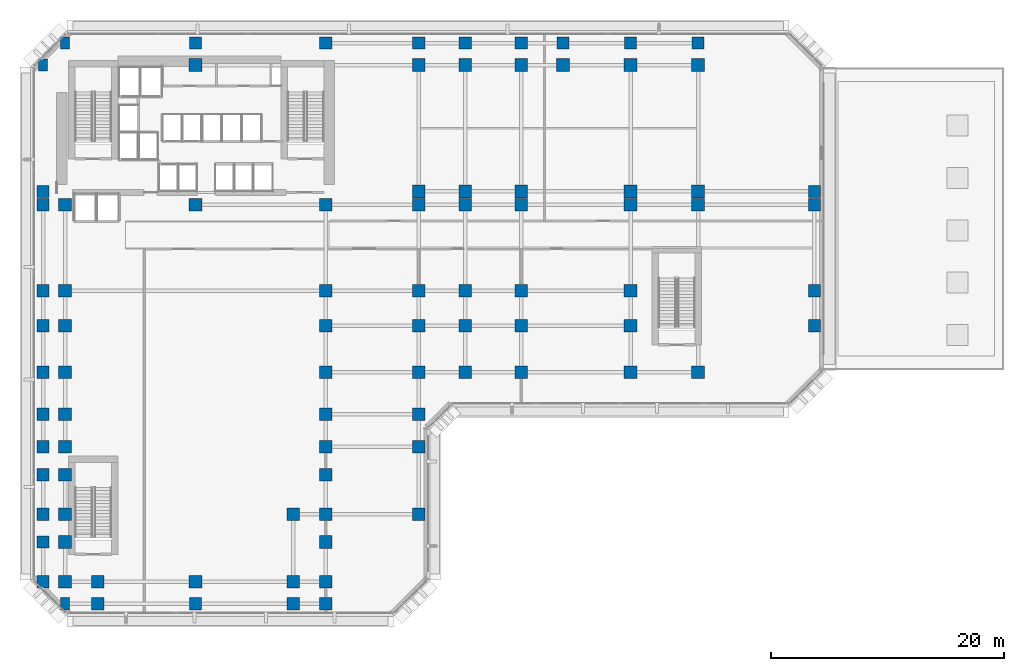
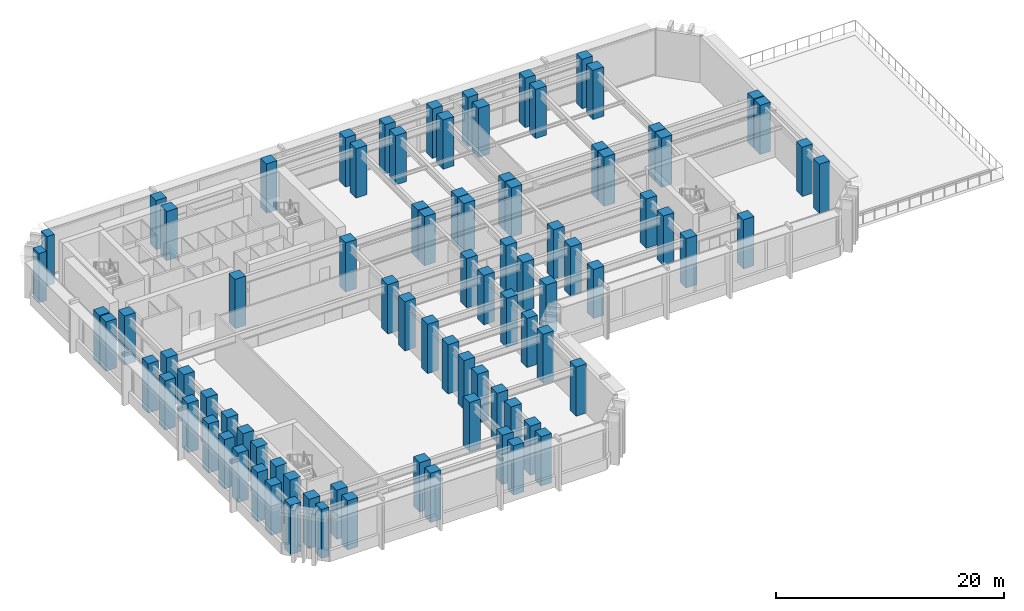
# One storey, part 1 of 16: 88 columns.
"""IFC4 building model written with IfcOpenShell, lengths in metres."""

from ifc_helpers import new_model, si_unit, direction, frame, origin, origin_2d, place, context, subcontext, project, spatial, rectangle, extrude, material, material_profile, profile_set, type_object, element, save


model = new_model("IFC4")

# Units and contexts
model_context = context("Model", 3, precision=1e-05, world=origin(), true_north=direction((0.0, 1.0)))
body_context = subcontext(model_context, "Body", "Model", "MODEL_VIEW")
ifc_project = project(units=[si_unit("LENGTHUNIT", "METRE"), si_unit("AREAUNIT", "SQUARE_METRE"), si_unit("VOLUMEUNIT", "CUBIC_METRE"), si_unit("PLANEANGLEUNIT", "RADIAN"), si_unit("MASSUNIT", "GRAM", prefix="KILO")], contexts=[model_context])

# Site, building, storey
site_placement = place(None, origin())
site = spatial("IfcSite", under=ifc_project, at=site_placement, CompositionType="ELEMENT")
building_placement = place(site_placement, origin())
building = spatial("IfcBuilding", under=site, at=building_placement, Name="Kefirva Bronze Tower", CompositionType="ELEMENT")
storey_placement = place(building_placement, frame((0.0, 0.0, 11.219970703125)))
storey = spatial("IfcBuildingStorey", under=building, at=storey_placement, Name="L02", CompositionType="ELEMENT", Elevation=11.219970703125)

# Columns
ifc_material = material(Name="Concrete C60/75", Category="concrete")
ifc_material_profile_1 = material_profile(ifc_material, rectangle(XDim=1.050048828125, YDim=1.050048828125, at=origin_2d()), Name="RC 1050x1050")
ifc_profile_set_1 = profile_set([ifc_material_profile_1], Name="Concrete C60/75")
column_type_1 = type_object("IfcColumnType", Name="RC Column 1050x1050 Ext", PredefinedType="COLUMN", material=ifc_profile_set_1)
for number, where, z_axis, x_axis, name in (
    (1, (-1.10009765625, 0.800048828125, 0.0), (0.0, 0.0, 1.0), (1.0, 0.0, 0.0), "L02 Column C-11_008"),
    (2, (-1.10009765625, 4.199951171875, 0.0), (0.0, 0.0, 1.0), (1.0, 0.0, 0.0), "L02 Column C-11_042"),
    (3, (-1.10009765625, 6.60009765625, 0.0), (0.0, 0.0, 1.0), (1.0, 0.0, 0.0), "L02 Column C-11_066"),
    (4, (-1.10009765625, 10.0, 0.0), (0.0, 0.0, 1.0), (1.0, 0.0, 0.0), "L02 Column C-11_100"),
    (5, (-1.10009765625, 12.39990234375, 0.0), (0.0, 0.0, 1.0), (1.0, 0.0, 0.0), "L02 Column C-11_124"),
    (6, (-1.10009765625, 15.199951171875, 0.0), (0.0, 0.0, 1.0), (1.0, 0.0, 0.0), "L02 Column C-11_152"),
    (7, (-1.10009765625, 18.800048828125, 0.0), (0.0, 0.0, 1.0), (1.0, 0.0, 0.0), "L02 Column C-11_188"),
    (8, (-1.10009765625, 22.800048828125, 0.0), (0.0, 0.0, 1.0), (1.0, 0.0, 0.0), "L02 Column C-11_228"),
    (9, (-1.10009765625, 25.800048828125, 0.0), (0.0, 0.0, 1.0), (1.0, 0.0, 0.0), "L02 Column C-11_258"),
    (10, (-1.10009765625, 33.199951171875, 0.0), (0.0, 0.0, 1.0), (1.0, 0.0, 0.0), "L02 Column C-11_332"),
    (11, (-1.10009765625, 34.35009765625, 0.0), (0.0, 0.0, 1.0), (1.0, 0.0, 0.0), "L02 Column C-11_344"),
    (12, (3.60009765625, -1.10009765625, 0.0), (0.0, 0.0, 1.0), (1.0, 0.0, 0.0), "L02 Column C036_-11"),
    (13, (12.0, -1.10009765625, 0.0), (0.0, 0.0, 1.0), (1.0, 0.0, 0.0), "L02 Column C120_-11"),
    (14, (12.0, 47.10009765625, 0.0), (0.0, 0.0, 1.0), (1.0, 0.0, 0.0), "L02 Column C120_471"),
    (15, (20.39990234375, -1.10009765625, 0.0), (0.0, 0.0, 1.0), (1.0, 0.0, 0.0), "L02 Column C204_-11"),
    (16, (23.199951171875, -1.10009765625, 0.0), (0.0, 0.0, 1.0), (1.0, 0.0, 0.0), "L02 Column C232_-11"),
    (17, (23.199951171875, 47.10009765625, 0.0), (0.0, 0.0, 1.0), (1.0, 0.0, 0.0), "L02 Column C232_471"),
    (18, (31.199951171875, 6.60009765625, 0.0), (0.0, 0.0, 1.0), (1.0, 0.0, 0.0), "L02 Column C312_066"),
    (19, (31.199951171875, 12.39990234375, 0.0), (0.0, 0.0, 1.0), (1.0, 0.0, 0.0), "L02 Column C312_124"),
    (20, (31.199951171875, 15.199951171875, 0.0), (0.0, 0.0, 1.0), (1.0, 0.0, 0.0), "L02 Column C312_152"),
    (21, (31.199951171875, 47.10009765625, 0.0), (0.0, 0.0, 1.0), (1.0, 0.0, 0.0), "L02 Column C312_471"),
    (22, (35.199951171875, 47.10009765625, 0.0), (0.0, 0.0, 1.0), (1.0, 0.0, 0.0), "L02 Column C352_471"),
    (23, (40.0, 47.10009765625, 0.0), (0.0, 0.0, 1.0), (1.0, 0.0, 0.0), "L02 Column C400_471"),
    (24, (43.60009765625, 47.10009765625, 0.0), (0.0, 0.0, 1.0), (1.0, 0.0, 0.0), "L02 Column C436_471"),
    (25, (49.39990234375, 47.10009765625, 0.0), (0.0, 0.0, 1.0), (1.0, 0.0, 0.0), "L02 Column C494_471"),
    (26, (55.199951171875, 47.10009765625, 0.0), (0.0, 0.0, 1.0), (1.0, 0.0, 0.0), "L02 Column C552_471"),
    (27, (65.199951171875, 22.800048828125, 0.0), (0.0, 0.0, 1.0), (1.0, 0.0, 0.0), "L02 Column C652_228"),
    (28, (65.199951171875, 25.800048828125, 0.0), (0.0, 0.0, 1.0), (1.0, 0.0, 0.0), "L02 Column C652_258"),
    (29, (65.199951171875, 33.199951171875, 0.0), (0.0, 0.0, 1.0), (1.0, 0.0, 0.0), "L02 Column C652_332"),
    (30, (65.199951171875, 34.35009765625, 0.0), (0.0, 0.0, 1.0), (1.0, 0.0, 0.0), "L02 Column C652_344"),
):
    element("IfcColumn", number, at=place(storey_placement, frame(where, z_axis=z_axis, x_axis=x_axis)), inside=storey, type_object=column_type_1, Name=name, PredefinedType="COLUMN", context=body_context, shape_type="SweptSolid", body=[
        extrude(rectangle(XDim=1.050048828125, YDim=1.050048828125, at=origin_2d()), origin(), (0.0, 0.0, 1.0), 5.280029296875),
    ])
ifc_material_profile_2 = material_profile(ifc_material, rectangle(XDim=1.10009765625, YDim=1.10009765625, at=origin_2d()), Name="RC 1100x1100")
ifc_profile_set_2 = profile_set([ifc_material_profile_2], Name="Concrete C60/75")
column_type_2 = type_object("IfcColumnType", Name="RC Column 1100x1100 Int", PredefinedType="COLUMN", material=ifc_profile_set_2)
for number, where, z_axis, x_axis, name in (
    (31, (0.800048828125, 0.800048828125, 0.0), (0.0, 0.0, 1.0), (1.0, 0.0, 0.0), "L02 Column C008_008"),
    (32, (0.800048828125, 4.199951171875, 0.0), (0.0, 0.0, 1.0), (1.0, 0.0, 0.0), "L02 Column C008_042"),
    (33, (0.800048828125, 6.60009765625, 0.0), (0.0, 0.0, 1.0), (1.0, 0.0, 0.0), "L02 Column C008_066"),
    (34, (0.800048828125, 10.0, 0.0), (0.0, 0.0, 1.0), (1.0, 0.0, 0.0), "L02 Column C008_100"),
    (35, (0.800048828125, 12.39990234375, 0.0), (0.0, 0.0, 1.0), (1.0, 0.0, 0.0), "L02 Column C008_124"),
    (36, (0.800048828125, 15.199951171875, 0.0), (0.0, 0.0, 1.0), (1.0, 0.0, 0.0), "L02 Column C008_152"),
    (37, (0.800048828125, 18.800048828125, 0.0), (0.0, 0.0, 1.0), (1.0, 0.0, 0.0), "L02 Column C008_188"),
    (38, (0.800048828125, 22.800048828125, 0.0), (0.0, 0.0, 1.0), (1.0, 0.0, 0.0), "L02 Column C008_228"),
    (39, (0.800048828125, 25.800048828125, 0.0), (0.0, 0.0, 1.0), (1.0, 0.0, 0.0), "L02 Column C008_258"),
    (40, (0.800048828125, 33.199951171875, 0.0), (0.0, 0.0, 1.0), (1.0, 0.0, 0.0), "L02 Column C008_332"),
    (41, (3.60009765625, 0.800048828125, 0.0), (0.0, 0.0, 1.0), (1.0, 0.0, 0.0), "L02 Column C036_008"),
    (42, (12.0, 0.800048828125, 0.0), (0.0, 0.0, 1.0), (1.0, 0.0, 0.0), "L02 Column C120_008"),
    (43, (12.0, 33.199951171875, 0.0), (0.0, 0.0, 1.0), (1.0, 0.0, 0.0), "L02 Column C120_332"),
    (44, (12.0, 45.199951171875, 0.0), (0.0, 0.0, 1.0), (1.0, 0.0, 0.0), "L02 Column C120_452"),
    (45, (20.39990234375, 0.800048828125, 0.0), (0.0, 0.0, 1.0), (1.0, 0.0, 0.0), "L02 Column C204_008"),
    (46, (20.39990234375, 6.60009765625, 0.0), (0.0, 0.0, 1.0), (1.0, 0.0, 0.0), "L02 Column C204_066"),
    (47, (23.199951171875, 0.800048828125, 0.0), (0.0, 0.0, 1.0), (1.0, 0.0, 0.0), "L02 Column C232_008"),
    (48, (23.199951171875, 4.199951171875, 0.0), (0.0, 0.0, 1.0), (1.0, 0.0, 0.0), "L02 Column C232_042"),
    (49, (23.199951171875, 6.60009765625, 0.0), (0.0, 0.0, 1.0), (1.0, 0.0, 0.0), "L02 Column C232_066"),
    (50, (23.199951171875, 10.0, 0.0), (0.0, 0.0, 1.0), (1.0, 0.0, 0.0), "L02 Column C232_100"),
    (51, (23.199951171875, 12.39990234375, 0.0), (0.0, 0.0, 1.0), (1.0, 0.0, 0.0), "L02 Column C232_124"),
    (52, (23.199951171875, 15.199951171875, 0.0), (0.0, 0.0, 1.0), (1.0, 0.0, 0.0), "L02 Column C232_152"),
    (53, (23.199951171875, 18.800048828125, 0.0), (0.0, 0.0, 1.0), (1.0, 0.0, 0.0), "L02 Column C232_188"),
    (54, (23.199951171875, 22.800048828125, 0.0), (0.0, 0.0, 1.0), (1.0, 0.0, 0.0), "L02 Column C232_228"),
    (55, (23.199951171875, 25.800048828125, 0.0), (0.0, 0.0, 1.0), (1.0, 0.0, 0.0), "L02 Column C232_258"),
    (56, (23.199951171875, 33.199951171875, 0.0), (0.0, 0.0, 1.0), (1.0, 0.0, 0.0), "L02 Column C232_332"),
    (57, (31.199951171875, 18.800048828125, 0.0), (0.0, 0.0, 1.0), (1.0, 0.0, 0.0), "L02 Column C312_188"),
    (58, (31.199951171875, 22.800048828125, 0.0), (0.0, 0.0, 1.0), (1.0, 0.0, 0.0), "L02 Column C312_228"),
    (59, (31.199951171875, 25.800048828125, 0.0), (0.0, 0.0, 1.0), (1.0, 0.0, 0.0), "L02 Column C312_258"),
    (60, (31.199951171875, 33.199951171875, 0.0), (0.0, 0.0, 1.0), (1.0, 0.0, 0.0), "L02 Column C312_332"),
    (61, (31.199951171875, 34.35009765625, 0.0), (0.0, 0.0, 1.0), (1.0, 0.0, 0.0), "L02 Column C312_344"),
    (62, (31.199951171875, 45.199951171875, 0.0), (0.0, 0.0, 1.0), (1.0, 0.0, 0.0), "L02 Column C312_452"),
    (63, (35.199951171875, 18.800048828125, 0.0), (0.0, 0.0, 1.0), (1.0, 0.0, 0.0), "L02 Column C352_188"),
    (64, (35.199951171875, 22.800048828125, 0.0), (0.0, 0.0, 1.0), (1.0, 0.0, 0.0), "L02 Column C352_228"),
    (65, (35.199951171875, 25.800048828125, 0.0), (0.0, 0.0, 1.0), (1.0, 0.0, 0.0), "L02 Column C352_258"),
    (66, (35.199951171875, 33.199951171875, 0.0), (0.0, 0.0, 1.0), (1.0, 0.0, 0.0), "L02 Column C352_332"),
    (67, (35.199951171875, 34.35009765625, 0.0), (0.0, 0.0, 1.0), (1.0, 0.0, 0.0), "L02 Column C352_344"),
    (68, (35.199951171875, 45.199951171875, 0.0), (0.0, 0.0, 1.0), (1.0, 0.0, 0.0), "L02 Column C352_452"),
    (69, (40.0, 18.800048828125, 0.0), (0.0, 0.0, 1.0), (1.0, 0.0, 0.0), "L02 Column C400_188"),
    (70, (40.0, 22.800048828125, 0.0), (0.0, 0.0, 1.0), (1.0, 0.0, 0.0), "L02 Column C400_228"),
    (71, (40.0, 25.800048828125, 0.0), (0.0, 0.0, 1.0), (1.0, 0.0, 0.0), "L02 Column C400_258"),
    (72, (40.0, 33.199951171875, 0.0), (0.0, 0.0, 1.0), (1.0, 0.0, 0.0), "L02 Column C400_332"),
    (73, (40.0, 34.35009765625, 0.0), (0.0, 0.0, 1.0), (1.0, 0.0, 0.0), "L02 Column C400_344"),
    (74, (40.0, 45.199951171875, 0.0), (0.0, 0.0, 1.0), (1.0, 0.0, 0.0), "L02 Column C400_452"),
    (75, (43.60009765625, 45.199951171875, 0.0), (0.0, 0.0, 1.0), (1.0, 0.0, 0.0), "L02 Column C436_452"),
    (76, (49.39990234375, 18.800048828125, 0.0), (0.0, 0.0, 1.0), (1.0, 0.0, 0.0), "L02 Column C494_188"),
    (77, (49.39990234375, 22.800048828125, 0.0), (0.0, 0.0, 1.0), (1.0, 0.0, 0.0), "L02 Column C494_228"),
    (78, (49.39990234375, 25.800048828125, 0.0), (0.0, 0.0, 1.0), (1.0, 0.0, 0.0), "L02 Column C494_258"),
    (79, (49.39990234375, 33.199951171875, 0.0), (0.0, 0.0, 1.0), (1.0, 0.0, 0.0), "L02 Column C494_332"),
    (80, (49.39990234375, 34.35009765625, 0.0), (0.0, 0.0, 1.0), (1.0, 0.0, 0.0), "L02 Column C494_344"),
    (81, (49.39990234375, 45.199951171875, 0.0), (0.0, 0.0, 1.0), (1.0, 0.0, 0.0), "L02 Column C494_452"),
    (82, (55.199951171875, 18.800048828125, 0.0), (0.0, 0.0, 1.0), (1.0, 0.0, 0.0), "L02 Column C552_188"),
    (83, (55.199951171875, 33.199951171875, 0.0), (0.0, 0.0, 1.0), (1.0, 0.0, 0.0), "L02 Column C552_332"),
    (84, (55.199951171875, 34.35009765625, 0.0), (0.0, 0.0, 1.0), (1.0, 0.0, 0.0), "L02 Column C552_344"),
    (85, (55.199951171875, 45.199951171875, 0.0), (0.0, 0.0, 1.0), (1.0, 0.0, 0.0), "L02 Column C552_452"),
):
    element("IfcColumn", number, at=place(storey_placement, frame(where, z_axis=z_axis, x_axis=x_axis)), inside=storey, type_object=column_type_2, Name=name, PredefinedType="COLUMN", context=body_context, shape_type="SweptSolid", body=[
        extrude(rectangle(XDim=1.10009765625, YDim=1.10009765625, at=origin_2d()), origin(), (0.0, 0.0, 1.0), 5.280029296875),
    ])
ifc_material_profile_3 = material_profile(ifc_material, rectangle(XDim=0.760009765625, YDim=1.0400390625, at=origin_2d()), Name="RC 760x1040")
ifc_profile_set_3 = profile_set([ifc_material_profile_3], Name="Concrete C60/75")
column_type_3 = type_object("IfcColumnType", Name="RC Corner Buttress Pilaster 1040x760", PredefinedType="PILASTER", material=ifc_profile_set_3)
for number, where, z_axis, x_axis, name in (
    (86, (-1.10009765625, 45.199951171875, 0.0), (0.0, 0.0, 1.0), (1.0, 0.0, 0.0), "L02 Column C-11_452"),
    (87, (0.800048828125, -1.10009765625, 0.0), (0.0, 0.0, 1.0), (1.0, 0.0, 0.0), "L02 Column C008_-11"),
    (88, (0.800048828125, 47.10009765625, 0.0), (0.0, 0.0, 1.0), (1.0, 0.0, 0.0), "L02 Column C008_471"),
):
    element("IfcColumn", number, at=place(storey_placement, frame(where, z_axis=z_axis, x_axis=x_axis)), inside=storey, type_object=column_type_3, Name=name, PredefinedType="PILASTER", context=body_context, shape_type="SweptSolid", body=[
        extrude(rectangle(XDim=0.760009765625, YDim=1.0400390625, at=origin_2d()), origin(), (0.0, 0.0, 1.0), 5.280029296875),
    ])

save(model, "model.ifc")
